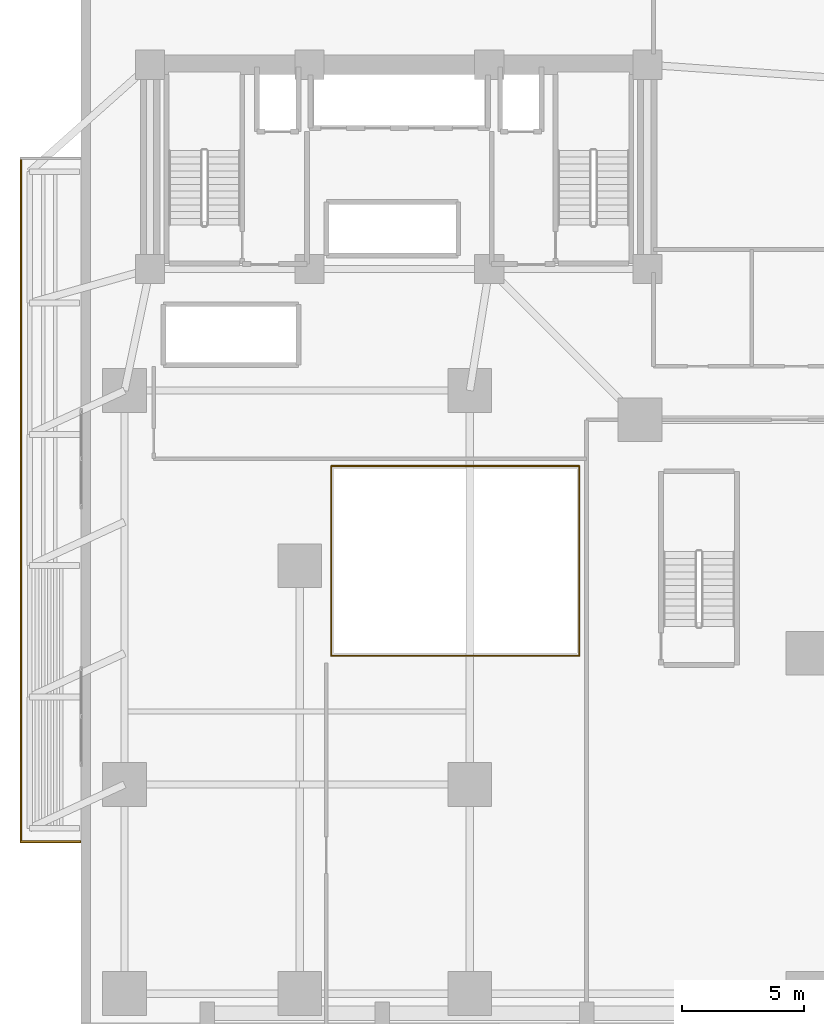
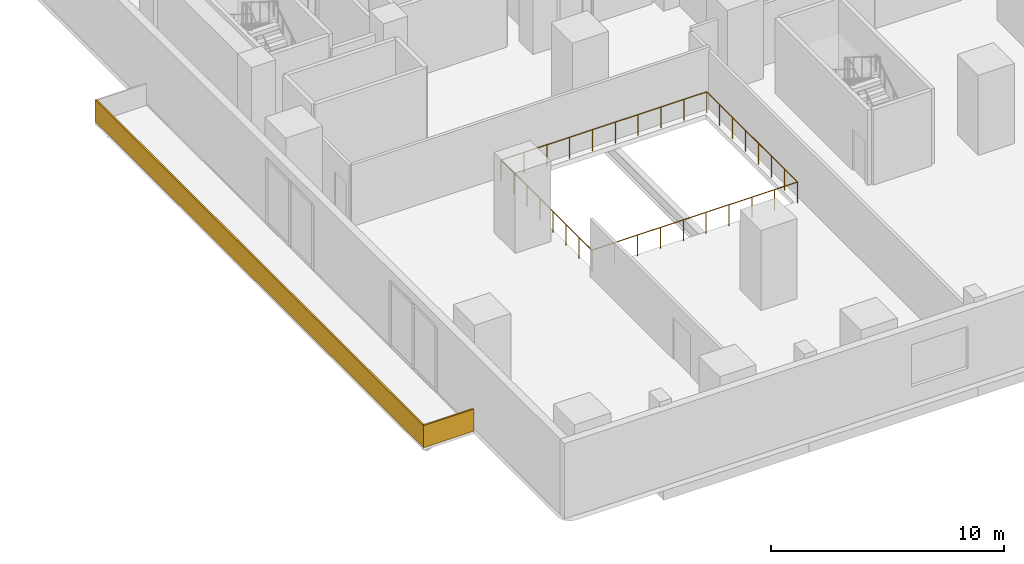
# One storey, part 10 of 13: 4 railings, 2 coverings.
"""IFC4 building model written with IfcOpenShell, lengths in metres."""

from ifc_helpers import new_model, si_unit, direction, frame, origin, origin_2d, place, context, subcontext, project, spatial, rectangle, circle, extrude, material, layer, layer_set, type_object, element, save


model = new_model("IFC4")

# Units and contexts
model_context = context("Model", 3, precision=1e-05, world=origin(), true_north=direction((0.0, 1.0)))
body_context = subcontext(model_context, "Body", "Model", "MODEL_VIEW")
ifc_project = project(units=[si_unit("LENGTHUNIT", "METRE"), si_unit("AREAUNIT", "SQUARE_METRE"), si_unit("VOLUMEUNIT", "CUBIC_METRE"), si_unit("PLANEANGLEUNIT", "RADIAN"), si_unit("MASSUNIT", "GRAM", prefix="KILO")], contexts=[model_context])

# Site, building, storey
site_placement = place(None, origin())
site = spatial("IfcSite", under=ifc_project, at=site_placement, CompositionType="ELEMENT")
building_placement = place(site_placement, origin())
building = spatial("IfcBuilding", under=site, at=building_placement, Name="Kuzgunbayir Cultural Tower", CompositionType="ELEMENT")
storey_placement = place(building_placement, frame((0.0, 0.0, 4.60009765625)))
storey = spatial("IfcBuildingStorey", under=building, at=storey_placement, Name="L01", CompositionType="ELEMENT", Elevation=4.60009765625)

# Coverings
ifc_material_1 = material(Name="Anatolian Cream Limestone", Category="masonry")
ifc_layer_1 = layer(ifc_material_1, 0.06005859375)
ifc_layer_set_1 = layer_set([ifc_layer_1], Name="Anatolian Cream Limestone")
covering_type = type_object("IfcCoveringType", Name="COV-CLAD-LIMESTONE-6", PredefinedType="CLADDING", material=ifc_layer_set_1)
covering_1_placement = place(storey_placement, frame((1.139892578125, 24.300048828125, -0.1201171875), z_axis=(0.0, 0.0, 1.0), x_axis=(1.0, 0.0, 0.0)))
element("IfcCovering", 1, at=covering_1_placement, inside=storey, type_object=covering_type, Name="L01 Colonnade Canopy West Coping Fascia", PredefinedType="CLADDING", context=body_context, shape_type="SweptSolid", body=[
    extrude(rectangle(XDim=0.080078125, YDim=28.199951171875, at=origin_2d()), origin(), (0.0, 0.0, 1.0), 1.159912109375),
])
covering_2_placement = place(storey_placement, frame((2.35009765625, 10.239990234375, -0.1201171875), z_axis=(0.0, 0.0, 1.0), x_axis=(1.0, 0.0, 0.0)))
element("IfcCovering", 2, at=covering_2_placement, inside=storey, type_object=covering_type, Name="L01 Colonnade Canopy South Coping Fascia", PredefinedType="CLADDING", context=body_context, shape_type="SweptSolid", body=[
    extrude(rectangle(XDim=2.5, YDim=0.080078125, at=origin_2d()), origin(), (0.0, 0.0, 1.0), 1.159912109375),
])

# Railings
ifc_material_2 = material(Name="Painted Steel Balustrade", Category="steel")
ifc_layer_2 = layer(ifc_material_2, 0.06005859375)
ifc_layer_set_2 = layer_set([ifc_layer_2], Name="Painted Steel Balustrade")
railing_type = type_object("IfcRailingType", Name="RLG-WELL-GUARD", PredefinedType="GUARDRAIL", material=ifc_layer_set_2)
railing_1_placement = place(storey_placement, frame((13.89990234375, 17.89990234375, 0.0)))
element("IfcRailing", 3, at=railing_1_placement, inside=storey, type_object=railing_type, Name="L01 Atrium Void Guard 1", PredefinedType="GUARDRAIL", context=body_context, shape_type="SweptSolid", body=[
    extrude(circle(Radius=0.02392578125, at=origin_2d()), frame((0.0, 0.0, 1.09619140625), z_axis=(1.0, 0.0, 0.0), x_axis=(0.0, 1.0, 0.0)), (0.0, 0.0, 1.0), 10.2001953125),
    extrude(circle(Radius=0.02099609375, at=origin_2d()), origin(), (0.0, 0.0, 1.0), 1.072021484375),
    extrude(circle(Radius=0.02099609375, at=origin_2d()), frame((1.13330078125, 0.0, 0.0)), (0.0, 0.0, 1.0), 1.072021484375),
    extrude(circle(Radius=0.02099609375, at=origin_2d()), frame((2.2666015625, 0.0, 0.0)), (0.0, 0.0, 1.0), 1.072021484375),
    extrude(circle(Radius=0.02099609375, at=origin_2d()), frame((3.400146484375, 0.0, 0.0)), (0.0, 0.0, 1.0), 1.072021484375),
    extrude(circle(Radius=0.02099609375, at=origin_2d()), frame((4.533447265625, 0.0, 0.0)), (0.0, 0.0, 1.0), 1.072021484375),
    extrude(circle(Radius=0.02099609375, at=origin_2d()), frame((5.666748046875, 0.0, 0.0)), (0.0, 0.0, 1.0), 1.072021484375),
    extrude(circle(Radius=0.02099609375, at=origin_2d()), frame((6.800048828125, 0.0, 0.0)), (0.0, 0.0, 1.0), 1.072021484375),
    extrude(circle(Radius=0.02099609375, at=origin_2d()), frame((7.93359375, 0.0, 0.0)), (0.0, 0.0, 1.0), 1.072021484375),
    extrude(circle(Radius=0.02099609375, at=origin_2d()), frame((9.06689453125, 0.0, 0.0)), (0.0, 0.0, 1.0), 1.072021484375),
    extrude(circle(Radius=0.02099609375, at=origin_2d()), frame((10.2001953125, 0.0, 0.0)), (0.0, 0.0, 1.0), 1.072021484375),
])
railing_2_placement = place(storey_placement, frame((24.10009765625, 17.89990234375, 0.0)))
element("IfcRailing", 4, at=railing_2_placement, inside=storey, type_object=railing_type, Name="L01 Atrium Void Guard 2", PredefinedType="GUARDRAIL", context=body_context, shape_type="SweptSolid", body=[
    extrude(circle(Radius=0.02392578125, at=origin_2d()), frame((0.0, 0.0, 1.09619140625), z_axis=(0.0, 1.0, 0.0), x_axis=(-1.0, 0.0, 0.0)), (0.0, 0.0, 1.0), 7.800048828125),
    extrude(circle(Radius=0.02099609375, at=origin_2d()), origin(), (0.0, 0.0, 1.0), 1.072021484375),
    extrude(circle(Radius=0.02099609375, at=origin_2d()), frame((0.0, 1.1142578125, 0.0)), (0.0, 0.0, 1.0), 1.072021484375),
    extrude(circle(Radius=0.02099609375, at=origin_2d()), frame((0.0, 2.228515625, 0.0)), (0.0, 0.0, 1.0), 1.072021484375),
    extrude(circle(Radius=0.02099609375, at=origin_2d()), frame((0.0, 3.3427734375, 0.0)), (0.0, 0.0, 1.0), 1.072021484375),
    extrude(circle(Radius=0.02099609375, at=origin_2d()), frame((0.0, 4.457275390625, 0.0)), (0.0, 0.0, 1.0), 1.072021484375),
    extrude(circle(Radius=0.02099609375, at=origin_2d()), frame((0.0, 5.571533203125, 0.0)), (0.0, 0.0, 1.0), 1.072021484375),
    extrude(circle(Radius=0.02099609375, at=origin_2d()), frame((0.0, 6.685791015625, 0.0)), (0.0, 0.0, 1.0), 1.072021484375),
    extrude(circle(Radius=0.02099609375, at=origin_2d()), frame((0.0, 7.800048828125, 0.0)), (0.0, 0.0, 1.0), 1.072021484375),
])
railing_3_placement = place(storey_placement, frame((24.10009765625, 25.699951171875, 0.0)))
element("IfcRailing", 5, at=railing_3_placement, inside=storey, type_object=railing_type, Name="L01 Atrium Void Guard 3", PredefinedType="GUARDRAIL", context=body_context, shape_type="SweptSolid", body=[
    extrude(circle(Radius=0.02392578125, at=origin_2d()), frame((0.0, 0.0, 1.09619140625), z_axis=(-1.0, 0.0, 0.0), x_axis=(0.0, -1.0, 0.0)), (0.0, 0.0, 1.0), 10.2001953125),
    extrude(circle(Radius=0.02099609375, at=origin_2d()), origin(), (0.0, 0.0, 1.0), 1.072021484375),
    extrude(circle(Radius=0.02099609375, at=origin_2d()), frame((-1.13330078125, 0.0, 0.0)), (0.0, 0.0, 1.0), 1.072021484375),
    extrude(circle(Radius=0.02099609375, at=origin_2d()), frame((-2.2666015625, 0.0, 0.0)), (0.0, 0.0, 1.0), 1.072021484375),
    extrude(circle(Radius=0.02099609375, at=origin_2d()), frame((-3.400146484375, 0.0, 0.0)), (0.0, 0.0, 1.0), 1.072021484375),
    extrude(circle(Radius=0.02099609375, at=origin_2d()), frame((-4.533447265625, 0.0, 0.0)), (0.0, 0.0, 1.0), 1.072021484375),
    extrude(circle(Radius=0.02099609375, at=origin_2d()), frame((-5.666748046875, 0.0, 0.0)), (0.0, 0.0, 1.0), 1.072021484375),
    extrude(circle(Radius=0.02099609375, at=origin_2d()), frame((-6.800048828125, 0.0, 0.0)), (0.0, 0.0, 1.0), 1.072021484375),
    extrude(circle(Radius=0.02099609375, at=origin_2d()), frame((-7.93359375, 0.0, 0.0)), (0.0, 0.0, 1.0), 1.072021484375),
    extrude(circle(Radius=0.02099609375, at=origin_2d()), frame((-9.06689453125, 0.0, 0.0)), (0.0, 0.0, 1.0), 1.072021484375),
    extrude(circle(Radius=0.02099609375, at=origin_2d()), frame((-10.2001953125, 0.0, 0.0)), (0.0, 0.0, 1.0), 1.072021484375),
])
railing_4_placement = place(storey_placement, frame((13.89990234375, 25.699951171875, 0.0)))
element("IfcRailing", 6, at=railing_4_placement, inside=storey, type_object=railing_type, Name="L01 Atrium Void Guard 4", PredefinedType="GUARDRAIL", context=body_context, shape_type="SweptSolid", body=[
    extrude(circle(Radius=0.02392578125, at=origin_2d()), frame((0.0, 0.0, 1.09619140625), z_axis=(0.0, -1.0, 0.0), x_axis=(1.0, 0.0, 0.0)), (0.0, 0.0, 1.0), 7.800048828125),
    extrude(circle(Radius=0.02099609375, at=origin_2d()), origin(), (0.0, 0.0, 1.0), 1.072021484375),
    extrude(circle(Radius=0.02099609375, at=origin_2d()), frame((0.0, -1.1142578125, 0.0)), (0.0, 0.0, 1.0), 1.072021484375),
    extrude(circle(Radius=0.02099609375, at=origin_2d()), frame((0.0, -2.228515625, 0.0)), (0.0, 0.0, 1.0), 1.072021484375),
    extrude(circle(Radius=0.02099609375, at=origin_2d()), frame((0.0, -3.3427734375, 0.0)), (0.0, 0.0, 1.0), 1.072021484375),
    extrude(circle(Radius=0.02099609375, at=origin_2d()), frame((0.0, -4.457275390625, 0.0)), (0.0, 0.0, 1.0), 1.072021484375),
    extrude(circle(Radius=0.02099609375, at=origin_2d()), frame((0.0, -5.571533203125, 0.0)), (0.0, 0.0, 1.0), 1.072021484375),
    extrude(circle(Radius=0.02099609375, at=origin_2d()), frame((0.0, -6.685791015625, 0.0)), (0.0, 0.0, 1.0), 1.072021484375),
    extrude(circle(Radius=0.02099609375, at=origin_2d()), frame((0.0, -7.800048828125, 0.0)), (0.0, 0.0, 1.0), 1.072021484375),
])

save(model, "model.ifc")
